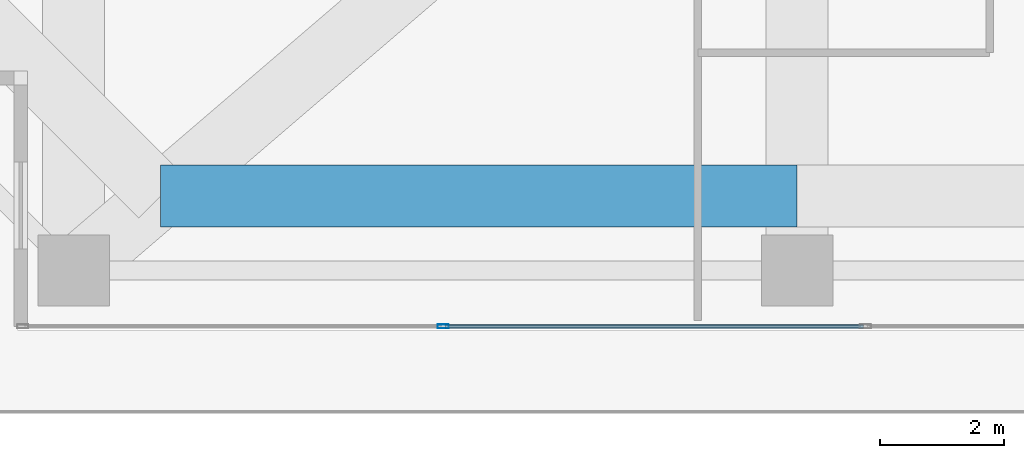
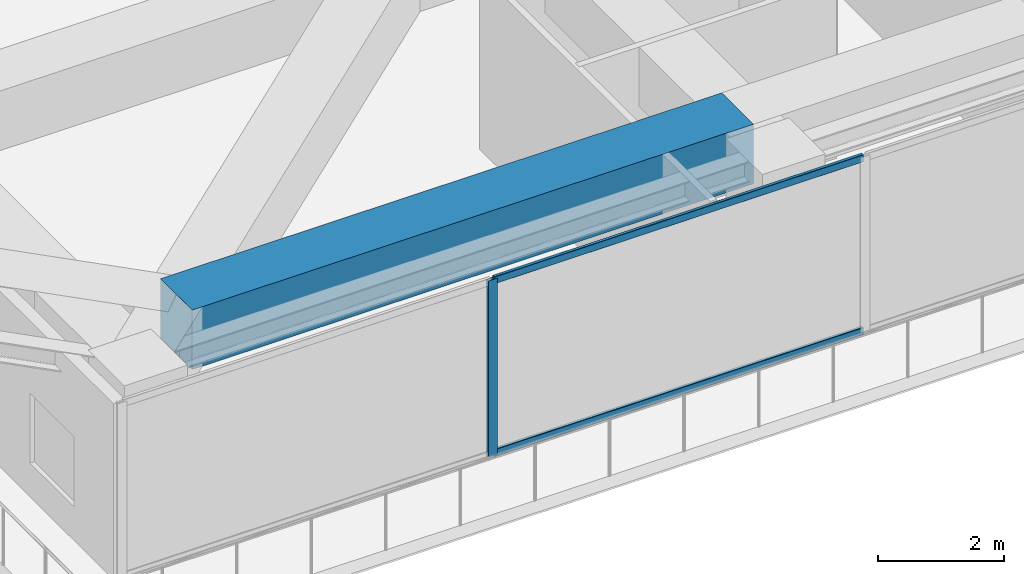
# One storey, part 5 of 39: 3 members, 1 beam, 1 element without a shape of its own.
"""IFC4 building model written with IfcOpenShell, lengths in metres."""

from ifc_helpers import new_model, si_unit, direction, frame, origin, origin_2d, place, context, subcontext, project, spatial, rectangle, hollow_rectangle, extrude, source, transform, mapped, material, layer, layer_set, material_profile, profile_set, type_object, element, aggregate, save


model = new_model("IFC4")

# Units and contexts
model_context = context("Model", 3, precision=1e-05, world=origin(), true_north=direction((0.0, 1.0)))
body_context = subcontext(model_context, "Body", "Model", "MODEL_VIEW")
ifc_project = project(units=[si_unit("LENGTHUNIT", "METRE"), si_unit("AREAUNIT", "SQUARE_METRE"), si_unit("VOLUMEUNIT", "CUBIC_METRE"), si_unit("PLANEANGLEUNIT", "RADIAN"), si_unit("MASSUNIT", "GRAM", prefix="KILO")], contexts=[model_context])

# Site, building, storey
site_placement = place(None, origin())
site = spatial("IfcSite", under=ifc_project, at=site_placement, CompositionType="ELEMENT")
building_placement = place(site_placement, origin())
building = spatial("IfcBuilding", under=site, at=building_placement, Name="Serunith Strait Residences", CompositionType="ELEMENT")
storey_placement = place(building_placement, frame((0.0, 0.0, 283.60009765625)))
storey = spatial("IfcBuildingStorey", under=building, at=storey_placement, Name="L71", CompositionType="ELEMENT", Elevation=283.60009765625)

# Beam
ifc_material_1 = material(Name="Concrete C80/95", Category="concrete")
ifc_material_profile_1 = material_profile(ifc_material_1, rectangle(XDim=1.0, YDim=1.14990234375, at=origin_2d()), Name="RC 1000x1150")
ifc_profile_set_1 = profile_set([ifc_material_profile_1], Name="Concrete C80/95")
beam_type = type_object("IfcBeamType", Name="BM-XFER-1000x1150", PredefinedType="BEAM", material=ifc_profile_set_1)
shared_shape_1 = source(origin(), body_context, "Body", "SweptSolid", [
    extrude(rectangle(XDim=1.0, YDim=1.14990234375, at=origin_2d()), origin(), (0.0, 0.0, 1.0), 10.25),
])
beam_placement = place(storey_placement, frame((17.64990234375, 3.300048828125, 2.8349609375), z_axis=(1.0, 0.0, 0.0), x_axis=(0.0, 1.0, 0.0)))
element("IfcBeam", 1, at=beam_placement, inside=storey, type_object=beam_type, Name="L71 Flare Upper Ring Transfer Girder 01", PredefinedType="BEAM", context=body_context, shape_type="MappedRepresentation", body=[
    mapped(shared_shape_1, transform((0.0, 0.0, 0.0), scale=1.0)),
])

# Curtain wall, members
ifc_material_2 = material(Name="Pale-Champagne Anodised Aluminium", Category="aluminium")
ifc_layer = layer(ifc_material_2, 0.199951171875, Name="Pale-Champagne Anodised Aluminium")
ifc_layer_set = layer_set([ifc_layer], Name="Pale-Champagne Anodised Aluminium")
curtain_wall_type = type_object("IfcCurtainWallType", Name="CW-SYS4", PredefinedType="NOTDEFINED", material=ifc_layer_set)
curtain_wall_placement = place(storey_placement, origin())
curtain_wall = element("IfcCurtainWall", 2, at=curtain_wall_placement, inside=storey, type_object=curtain_wall_type, Name="L71 S Unitised Fritted Curtain Wall", PredefinedType="NOTDEFINED")
ifc_material_profile_2 = material_profile(ifc_material_2, hollow_rectangle(XDim=0.06005859375, YDim=0.139892578125, WallThickness=0.00341796875, InnerFilletRadius=0.00537109375, OuterFilletRadius=0.0087890625, at=origin_2d()), Name="ALU 140x60x3.5")
ifc_profile_set_2 = profile_set([ifc_material_profile_2], Name="Pale-Champagne Anodised Aluminium")
member_type_1 = type_object("IfcMemberType", Name="CW-SYS4-TRAN", PredefinedType="USERDEFINED", material=ifc_profile_set_2)
shared_shape_2 = source(origin(), body_context, "Body", "SweptSolid", [
    extrude(hollow_rectangle(XDim=0.06005859375, YDim=0.139892578125, WallThickness=0.00341796875, InnerFilletRadius=0.00537109375, OuterFilletRadius=0.0087890625, at=origin_2d()), origin(), (0.0, 0.0, 1.0), 6.735107421875),
])
member_1_placement = place(storey_placement, frame((22.232421875, 1.199951171875, 0.02978515625), z_axis=(1.0, 0.0, 0.0), x_axis=(0.0, 1.0, 0.0)))
member_1 = element("IfcMember", 3, at=member_1_placement, type_object=member_type_1, Name="CW-4 transom 2.1", ObjectType="TRANSOM", PredefinedType="USERDEFINED", context=body_context, shape_type="MappedRepresentation", body=[
    mapped(shared_shape_2, transform((0.0, 0.0, 0.0), scale=1.0)),
])
member_2_placement = place(storey_placement, frame((22.232421875, 1.199951171875, 3.364990234375), z_axis=(1.0, 0.0, 0.0), x_axis=(0.0, 1.0, 0.0)))
member_2 = element("IfcMember", 4, at=member_2_placement, type_object=member_type_1, Name="CW-4 transom 2.2", ObjectType="TRANSOM", PredefinedType="USERDEFINED", context=body_context, shape_type="MappedRepresentation", body=[
    mapped(shared_shape_2, transform((0.0, 0.0, 0.0), scale=1.0)),
])
ifc_material_profile_3 = material_profile(ifc_material_2, hollow_rectangle(XDim=0.06494140625, YDim=0.179931640625, WallThickness=0.00341796875, InnerFilletRadius=0.00537109375, OuterFilletRadius=0.0087890625, at=origin_2d()), Name="ALU 180x65x3.5")
ifc_profile_set_3 = profile_set([ifc_material_profile_3], Name="Pale-Champagne Anodised Aluminium")
member_type_2 = type_object("IfcMemberType", Name="CW-SYS4-MULL", PredefinedType="MULLION", material=ifc_profile_set_3)
shared_shape_3 = source(origin(), body_context, "Body", "SweptSolid", [
    extrude(hollow_rectangle(XDim=0.06494140625, YDim=0.179931640625, WallThickness=0.00341796875, InnerFilletRadius=0.00537109375, OuterFilletRadius=0.0087890625, at=origin_2d()), origin(), (0.0, 0.0, 1.0), 3.39501953125),
])
member_3_placement = place(storey_placement, frame((22.199951171875, 1.199951171875, 0.0), z_axis=(0.0, 0.0, 1.0), x_axis=(0.0, 1.0, 0.0)))
member_3 = element("IfcMember", 5, at=member_3_placement, type_object=member_type_2, Name="CW-4 mullion 2", PredefinedType="MULLION", context=body_context, shape_type="MappedRepresentation", body=[
    mapped(shared_shape_3, transform((0.0, 0.0, 0.0), scale=1.0)),
])
aggregate(curtain_wall, [member_3, member_1, member_2])

save(model, "model.ifc")
